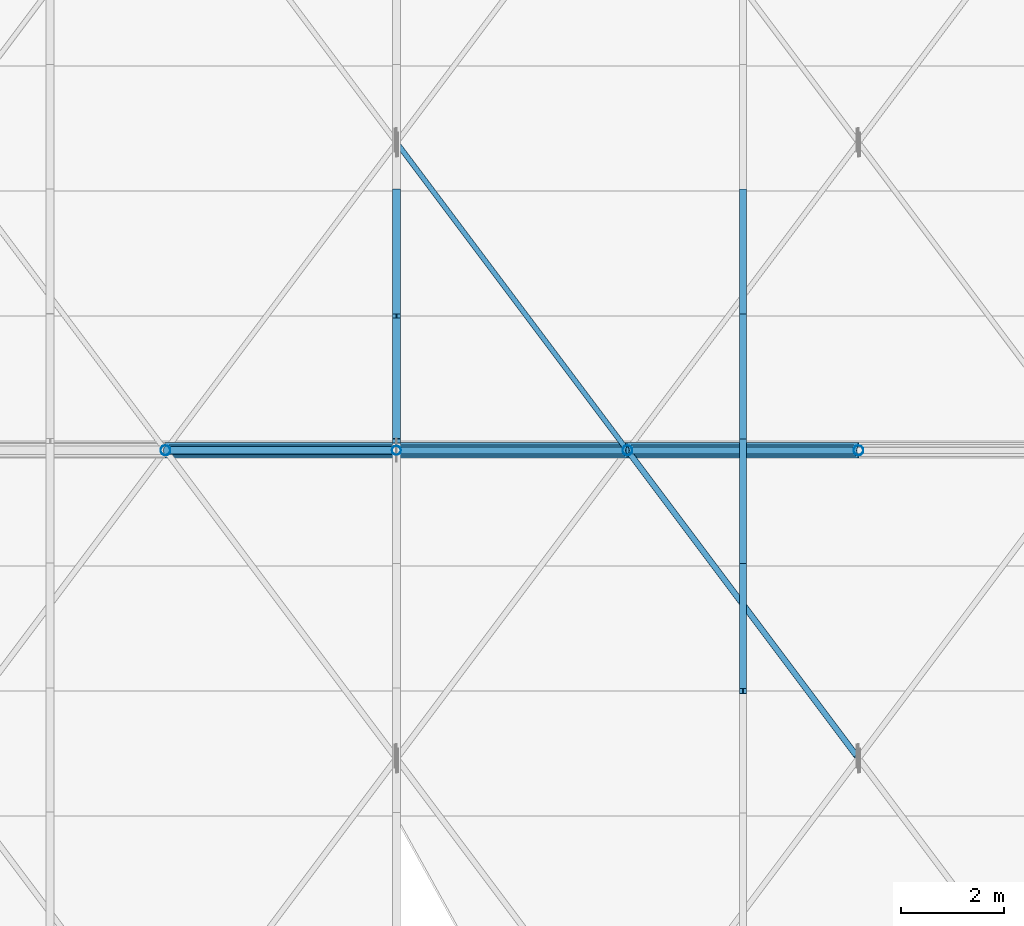
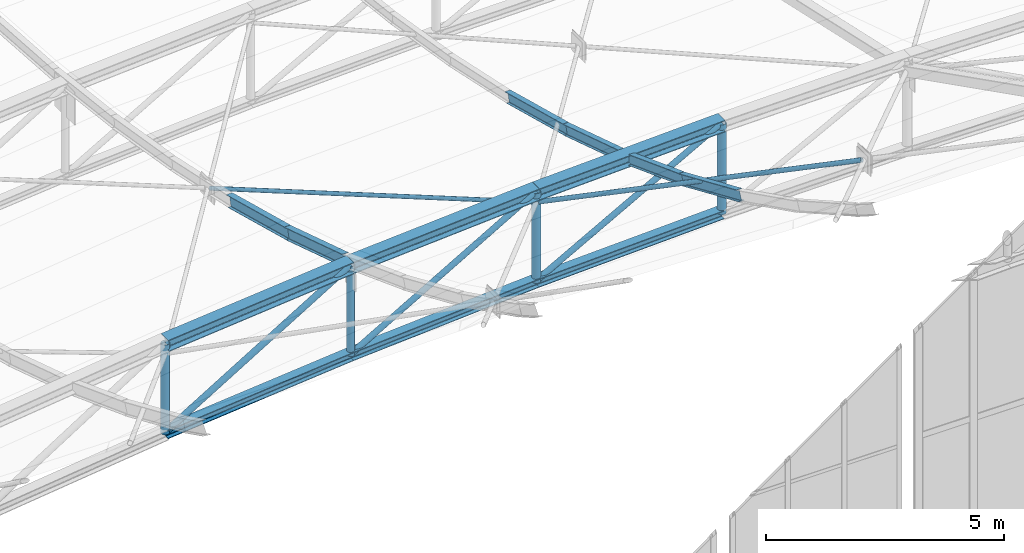
# One storey, part 53 of 262: 21 members.
"""IFC4 building model written with IfcOpenShell, lengths in metres."""

from ifc_helpers import new_model, si_unit, derived_unit, direction, frame, origin, origin_2d, place, context, subcontext, project, spatial, hollow_circle, i_section, extrude, material, material_profile, profile_set, type_object, element, save


model = new_model("IFC4")

# Units and contexts
model_context = context("Model", 3, precision=1e-05, world=origin(), true_north=direction((0.0, 1.0)))
body_context = subcontext(model_context, "Body", "Model", "MODEL_VIEW")
ifc_project = project(units=[si_unit("LENGTHUNIT", "METRE"), si_unit("AREAUNIT", "SQUARE_METRE"), si_unit("VOLUMEUNIT", "CUBIC_METRE"), si_unit("PLANEANGLEUNIT", "RADIAN"), si_unit("MASSUNIT", "GRAM", prefix="KILO"), derived_unit("THERMALTRANSMITTANCEUNIT", [(si_unit("POWERUNIT", "WATT"), 1), (si_unit("LENGTHUNIT", "METRE"), -2), (si_unit("THERMODYNAMICTEMPERATUREUNIT", "KELVIN"), -1)])], contexts=[model_context])

# Site, building, storey
site_placement = place(None, origin())
site = spatial("IfcSite", under=ifc_project, at=site_placement, CompositionType="ELEMENT")
building_placement = place(site_placement, origin())
building = spatial("IfcBuilding", under=site, at=building_placement, Name="Almenara Railside Exhibition Hall", CompositionType="ELEMENT")
storey_placement = place(building_placement, frame((0.0, 0.0, 21.699951171875)))
storey = spatial("IfcBuildingStorey", under=building, at=storey_placement, Name="RF", CompositionType="ELEMENT", Elevation=21.699951171875)

# Members
ifc_material = material(Name="Structural steel S355JR", Category="steel")
ifc_material_profile_1 = material_profile(ifc_material, i_section(OverallWidth=0.300048828125, OverallDepth=0.300048828125, WebThickness=0.010986328125, FlangeThickness=0.01904296875, FilletRadius=0.027099609375, at=origin_2d()), Name="HEB 300")
ifc_profile_set_1 = profile_set([ifc_material_profile_1], Name="Structural steel S355JR")
member_type_1 = type_object("IfcMemberType", Name="Arched Inner Top Chord HEB 300 S355JR", PredefinedType="CHORD", material=ifc_profile_set_1)
member_1_placement = place(storey_placement, frame((21.0, 60.0, 4.0634765625), z_axis=(0.995512933083, 0.0, 0.094625578275), x_axis=(0.0, 1.0, 0.0)))
element("IfcMember", 1, at=member_1_placement, inside=storey, type_object=member_type_1, Name="MEM-TC-V1-01-02", PredefinedType="CHORD", context=body_context, shape_type="SweptSolid", body=[
    extrude(i_section(OverallWidth=0.300048828125, OverallDepth=0.300048828125, WebThickness=0.010986328125, FlangeThickness=0.01904296875, FilletRadius=0.027099609375, at=origin_2d()), origin(), (0.0, 0.0, 1.0), 4.520263671875),
])
member_2_placement = place(storey_placement, frame((25.5, 60.0, 4.4912109375), z_axis=(0.997701025897, 0.0, 0.067769188608), x_axis=(0.0, 1.0, 0.0)))
element("IfcMember", 2, at=member_2_placement, inside=storey, type_object=member_type_1, Name="MEM-TC-V1-01-03", PredefinedType="CHORD", context=body_context, shape_type="SweptSolid", body=[
    extrude(i_section(OverallWidth=0.300048828125, OverallDepth=0.300048828125, WebThickness=0.010986328125, FlangeThickness=0.01904296875, FilletRadius=0.027099609375, at=origin_2d()), origin(), (0.0, 0.0, 1.0), 4.51025390625),
])
member_3_placement = place(storey_placement, frame((30.0, 60.0, 4.796875), z_axis=(0.99917098071, 0.0, 0.04071057978), x_axis=(0.0, 1.0, 0.0)))
element("IfcMember", 3, at=member_3_placement, inside=storey, type_object=member_type_1, Name="MEM-TC-V1-01-04", PredefinedType="CHORD", context=body_context, shape_type="SweptSolid", body=[
    extrude(i_section(OverallWidth=0.300048828125, OverallDepth=0.300048828125, WebThickness=0.010986328125, FlangeThickness=0.01904296875, FilletRadius=0.027099609375, at=origin_2d()), origin(), (0.0, 0.0, 1.0), 4.503662109375),
])
ifc_material_profile_2 = material_profile(ifc_material, i_section(OverallWidth=0.14990234375, OverallDepth=0.300048828125, WebThickness=0.007080078125, FlangeThickness=0.0107421875, FilletRadius=0.014892578125, at=origin_2d()), Name="IPE 300")
ifc_profile_set_2 = profile_set([ifc_material_profile_2], Name="Structural steel S355JR")
member_type_2 = type_object("IfcMemberType", Name="East Hall Ridge Purlin IPE 300 S355JR", PredefinedType="PURLIN", material=ifc_profile_set_2)
member_4_placement = place(storey_placement, frame((25.5, 60.18359375, 4.496826171875), z_axis=(0.0, 0.952468462339, -0.304637207594), x_axis=(-1.0, 0.0, 0.0)))
element("IfcMember", 4, at=member_4_placement, inside=storey, type_object=member_type_2, Name="MEM-PR-V1-PR-IPE300-02-05", PredefinedType="PURLIN", context=body_context, shape_type="SweptSolid", body=[
    extrude(i_section(OverallWidth=0.14990234375, OverallDepth=0.300048828125, WebThickness=0.007080078125, FlangeThickness=0.0107421875, FilletRadius=0.014892578125, at=origin_2d()), origin(), (0.0, 0.0, 1.0), 2.55810546875),
])
member_5_placement = place(storey_placement, frame((25.5, 62.6201171875, 3.72265625), z_axis=(0.0, 0.966201190487, -0.257789176462), x_axis=(-1.0, 0.0, 0.0)))
element("IfcMember", 5, at=member_5_placement, inside=storey, type_object=member_type_2, Name="MEM-PR-V1-PR-IPE300-02-06", PredefinedType="PURLIN", context=body_context, shape_type="SweptSolid", body=[
    extrude(i_section(OverallWidth=0.14990234375, OverallDepth=0.300048828125, WebThickness=0.007080078125, FlangeThickness=0.0107421875, FilletRadius=0.014892578125, at=origin_2d()), origin(), (0.0, 0.0, 1.0), 2.52197265625),
])
ifc_material_profile_3 = material_profile(ifc_material, i_section(OverallWidth=0.135009765625, OverallDepth=0.27001953125, WebThickness=0.006591796875, FlangeThickness=0.01025390625, FilletRadius=0.014892578125, at=origin_2d()), Name="IPE 270")
ifc_profile_set_3 = profile_set([ifc_material_profile_3], Name="Structural steel S355JR")
member_type_3 = type_object("IfcMemberType", Name="East Hall Standard Purlin IPE 270 S355JR", PredefinedType="PURLIN", material=ifc_profile_set_3)
member_6_placement = place(storey_placement, frame((32.25, 55.31005859375, 6.750732421875), z_axis=(0.0, 0.917223393452, -0.398373250237), x_axis=(-1.0, 0.0, 0.0)))
element("IfcMember", 6, at=member_6_placement, inside=storey, type_object=member_type_3, Name="MEM-PR-V1-PR-IPE270-03-03", PredefinedType="PURLIN", context=body_context, shape_type="SweptSolid", body=[
    extrude(i_section(OverallWidth=0.135009765625, OverallDepth=0.27001953125, WebThickness=0.006591796875, FlangeThickness=0.01025390625, FilletRadius=0.014892578125, at=origin_2d()), origin(), (0.0, 0.0, 1.0), 2.65673828125),
])
member_7_placement = place(storey_placement, frame((32.25, 57.746826171875, 5.699462890625), z_axis=(0.0, 0.936171044044, -0.351544842508), x_axis=(-1.0, 0.0, 0.0)))
element("IfcMember", 7, at=member_7_placement, inside=storey, type_object=member_type_3, Name="MEM-PR-V1-PR-IPE270-03-04", PredefinedType="PURLIN", context=body_context, shape_type="SweptSolid", body=[
    extrude(i_section(OverallWidth=0.135009765625, OverallDepth=0.27001953125, WebThickness=0.006591796875, FlangeThickness=0.01025390625, FilletRadius=0.014892578125, at=origin_2d()), origin(), (0.0, 0.0, 1.0), 2.60302734375),
])
member_8_placement = place(storey_placement, frame((32.25, 60.18359375, 4.79052734375), z_axis=(0.0, 0.952440767254, -0.304723784553), x_axis=(-1.0, 0.0, 0.0)))
element("IfcMember", 8, at=member_8_placement, inside=storey, type_object=member_type_3, Name="MEM-PR-V1-PR-IPE270-03-05", PredefinedType="PURLIN", context=body_context, shape_type="SweptSolid", body=[
    extrude(i_section(OverallWidth=0.135009765625, OverallDepth=0.27001953125, WebThickness=0.006591796875, FlangeThickness=0.01025390625, FilletRadius=0.014892578125, at=origin_2d()), origin(), (0.0, 0.0, 1.0), 2.55810546875),
])
member_9_placement = place(storey_placement, frame((32.25, 62.6201171875, 4.01611328125), z_axis=(0.0, 0.966177075278, -0.257879543988), x_axis=(-1.0, 0.0, 0.0)))
element("IfcMember", 9, at=member_9_placement, inside=storey, type_object=member_type_3, Name="MEM-PR-V1-PR-IPE270-03-06", PredefinedType="PURLIN", context=body_context, shape_type="SweptSolid", body=[
    extrude(i_section(OverallWidth=0.135009765625, OverallDepth=0.27001953125, WebThickness=0.006591796875, FlangeThickness=0.01025390625, FilletRadius=0.014892578125, at=origin_2d()), origin(), (0.0, 0.0, 1.0), 2.52197265625),
])
ifc_material_profile_4 = material_profile(ifc_material, hollow_circle(Radius=0.05712890625, WallThickness=0.00439453125, at=origin_2d()), Name="CHS 114.3x4.5")
ifc_profile_set_4 = profile_set([ifc_material_profile_4], Name="Structural steel S355JR")
member_type_4 = type_object("IfcMemberType", Name="Roof Wind Plan X-Brace CHS 114.3x4.5 S355JR", PredefinedType="BRACE", material=ifc_profile_set_4)
member_10_placement = place(storey_placement, frame((34.46630859375, 54.045166015625, 7.644775390625), z_axis=(-0.553161432882, 0.737518339861, -0.387400474368), x_axis=(-0.799988192385, -0.600015743163, 0.0)))
element("IfcMember", 10, at=member_10_placement, inside=storey, type_object=member_type_4, Name="MEM-WB-V1-WB-CHS114-00-04-S2", PredefinedType="BRACE", context=body_context, shape_type="SweptSolid", body=[
    extrude(hollow_circle(Radius=0.05712890625, WallThickness=0.00439453125, at=origin_2d()), origin(), (0.0, 0.0, 1.0), 8.07421875),
])
ifc_material_profile_5 = material_profile(ifc_material, i_section(OverallWidth=0.219970703125, OverallDepth=0.219970703125, WebThickness=0.009521484375, FlangeThickness=0.01611328125, FilletRadius=0.01806640625, at=origin_2d()), Name="HEB 220")
ifc_profile_set_5 = profile_set([ifc_material_profile_5], Name="Structural steel S355JR")
member_type_5 = type_object("IfcMemberType", Name="Scroll Tie Chord HEB 220 S355JR", PredefinedType="CHORD", material=ifc_profile_set_5)
member_11_placement = place(storey_placement, frame((21.0, 60.0, 1.763427734375), z_axis=(0.995512933083, 0.0, 0.094625578275), x_axis=(0.0, 1.0, 0.0)))
element("IfcMember", 11, at=member_11_placement, inside=storey, type_object=member_type_5, Name="MEM-BC-V1-01-02", PredefinedType="CHORD", context=body_context, shape_type="SweptSolid", body=[
    extrude(i_section(OverallWidth=0.219970703125, OverallDepth=0.219970703125, WebThickness=0.009521484375, FlangeThickness=0.01611328125, FilletRadius=0.01806640625, at=origin_2d()), origin(), (0.0, 0.0, 1.0), 4.520263671875),
])
member_12_placement = place(storey_placement, frame((25.5, 60.0, 2.191162109375), z_axis=(0.997701025897, 0.0, 0.067769188608), x_axis=(0.0, 1.0, 0.0)))
element("IfcMember", 12, at=member_12_placement, inside=storey, type_object=member_type_5, Name="MEM-BC-V1-01-03", PredefinedType="CHORD", context=body_context, shape_type="SweptSolid", body=[
    extrude(i_section(OverallWidth=0.219970703125, OverallDepth=0.219970703125, WebThickness=0.009521484375, FlangeThickness=0.01611328125, FilletRadius=0.01806640625, at=origin_2d()), origin(), (0.0, 0.0, 1.0), 4.51025390625),
])
member_13_placement = place(storey_placement, frame((30.0, 60.0, 2.496826171875), z_axis=(0.99917098071, 0.0, 0.04071057978), x_axis=(0.0, 1.0, 0.0)))
element("IfcMember", 13, at=member_13_placement, inside=storey, type_object=member_type_5, Name="MEM-BC-V1-01-04", PredefinedType="CHORD", context=body_context, shape_type="SweptSolid", body=[
    extrude(i_section(OverallWidth=0.219970703125, OverallDepth=0.219970703125, WebThickness=0.009521484375, FlangeThickness=0.01611328125, FilletRadius=0.01806640625, at=origin_2d()), origin(), (0.0, 0.0, 1.0), 4.503662109375),
])
ifc_material_profile_6 = material_profile(ifc_material, hollow_circle(Radius=0.05078125, WallThickness=0.00390625, at=origin_2d()), Name="CHS 101.6x4")
ifc_profile_set_6 = profile_set([ifc_material_profile_6], Name="Structural steel S355JR")
member_type_6 = type_object("IfcMemberType", Name="Scroll Wind Plan Brace CHS 101.6x4 S355JR", PredefinedType="BRACE", material=ifc_profile_set_6)
member_14_placement = place(storey_placement, frame((30.0, 60.0, 4.516845703125), z_axis=(-0.585077102142, 0.780092146296, -0.221677756748), x_axis=(-0.799996065737, -0.600005245648, 0.0)))
element("IfcMember", 14, at=member_14_placement, inside=storey, type_object=member_type_6, Name="MEM-WB-V1-WB-CHS102-01-02-S1", PredefinedType="BRACE", context=body_context, shape_type="SweptSolid", body=[
    extrude(hollow_circle(Radius=0.05078125, WallThickness=0.00390625, at=origin_2d()), origin(), (0.0, 0.0, 1.0), 7.63671875),
])
ifc_material_profile_7 = material_profile(ifc_material, hollow_circle(Radius=0.06982421875, WallThickness=0.0048828125, at=origin_2d()), Name="CHS 139.7x5")
ifc_profile_set_7 = profile_set([ifc_material_profile_7], Name="Structural steel S355JR")
member_type_7 = type_object("IfcMemberType", Name="Truss Inner Diagonal CHS 139.7x5 S355JR", PredefinedType="BRACE", material=ifc_profile_set_7)
member_15_placement = place(storey_placement, frame((25.5, 60.0, 2.191162109375), z_axis=(0.865388781224, 0.0, 0.501101045031), x_axis=(0.0, 1.0, 0.0)))
element("IfcMember", 15, at=member_15_placement, inside=storey, type_object=member_type_7, Name="MEM-TD-V1-01-03", PredefinedType="BRACE", context=body_context, shape_type="SweptSolid", body=[
    extrude(hollow_circle(Radius=0.06982421875, WallThickness=0.0048828125, at=origin_2d()), origin(), (0.0, 0.0, 1.0), 5.199951171875),
])
member_16_placement = place(storey_placement, frame((30.0, 60.0, 2.496826171875), z_axis=(0.875525025835, 0.0, 0.483172773589), x_axis=(0.0, 1.0, 0.0)))
element("IfcMember", 16, at=member_16_placement, inside=storey, type_object=member_type_7, Name="MEM-TD-V1-01-04", PredefinedType="BRACE", context=body_context, shape_type="SweptSolid", body=[
    extrude(hollow_circle(Radius=0.06982421875, WallThickness=0.0048828125, at=origin_2d()), origin(), (0.0, 0.0, 1.0), 5.139892578125),
])
ifc_material_profile_8 = material_profile(ifc_material, hollow_circle(Radius=0.076171875, WallThickness=0.0048828125, at=origin_2d()), Name="CHS 152.4x5")
ifc_profile_set_8 = profile_set([ifc_material_profile_8], Name="Structural steel S355JR")
member_type_8 = type_object("IfcMemberType", Name="Truss Mid Diagonal CHS 152.4x5 S355JR", PredefinedType="BRACE", material=ifc_profile_set_8)
member_17_placement = place(storey_placement, frame((21.0, 60.0, 1.763427734375), z_axis=(0.855154829777, 0.0, 0.518372662386), x_axis=(0.0, 1.0, 0.0)))
element("IfcMember", 17, at=member_17_placement, inside=storey, type_object=member_type_8, Name="MEM-TD-V1-01-02", PredefinedType="BRACE", context=body_context, shape_type="SweptSolid", body=[
    extrude(hollow_circle(Radius=0.076171875, WallThickness=0.0048828125, at=origin_2d()), origin(), (0.0, 0.0, 1.0), 5.26220703125),
])
ifc_material_profile_9 = material_profile(ifc_material, hollow_circle(Radius=0.0888671875, WallThickness=0.006103515625, at=origin_2d()), Name="CHS 177.8x6")
ifc_profile_set_9 = profile_set([ifc_material_profile_9], Name="Structural steel S355JR")
member_type_9 = type_object("IfcMemberType", Name="Truss Quarter Vertical Strut CHS 177.8x6 S355JR", PredefinedType="BRACE", material=ifc_profile_set_9)
member_18_placement = place(storey_placement, frame((25.5, 60.0, 2.191162109375), z_axis=(0.0, 0.0, 1.0), x_axis=(1.0, 0.0, 0.0)))
element("IfcMember", 18, at=member_18_placement, inside=storey, type_object=member_type_9, Name="MEM-TV-V1-01-03", PredefinedType="BRACE", context=body_context, shape_type="SweptSolid", body=[
    extrude(hollow_circle(Radius=0.0888671875, WallThickness=0.006103515625, at=origin_2d()), origin(), (0.0, 0.0, 1.0), 2.300048828125),
])
ifc_material_profile_10 = material_profile(ifc_material, hollow_circle(Radius=0.096923828125, WallThickness=0.00634765625, at=origin_2d()), Name="CHS 193.7x6.3")
ifc_profile_set_10 = profile_set([ifc_material_profile_10], Name="Structural steel S355JR")
member_type_10 = type_object("IfcMemberType", Name="Truss Standard Vertical Strut CHS 193.7x6.3 S355JR", PredefinedType="BRACE", material=ifc_profile_set_10)
for number, where, z_axis, x_axis, name in (
    (19, (21.0, 60.0, 1.763427734375), (0.0, 0.0, 1.0), (1.0, 0.0, 0.0), "MEM-TV-V1-01-02"),
    (20, (30.0, 60.0, 2.496826171875), (0.0, 0.0, 1.0), (1.0, 0.0, 0.0), "MEM-TV-V1-01-04"),
    (21, (34.5, 60.0, 2.68017578125), (0.0, 0.0, 1.0), (1.0, 0.0, 0.0), "MEM-TV-V1-01-05"),
):
    element("IfcMember", number, at=place(storey_placement, frame(where, z_axis=z_axis, x_axis=x_axis)), inside=storey, type_object=member_type_10, Name=name, PredefinedType="BRACE", context=body_context, shape_type="SweptSolid", body=[
        extrude(hollow_circle(Radius=0.096923828125, WallThickness=0.00634765625, at=origin_2d()), origin(), (0.0, 0.0, 1.0), 2.300048828125),
    ])

save(model, "model.ifc")
